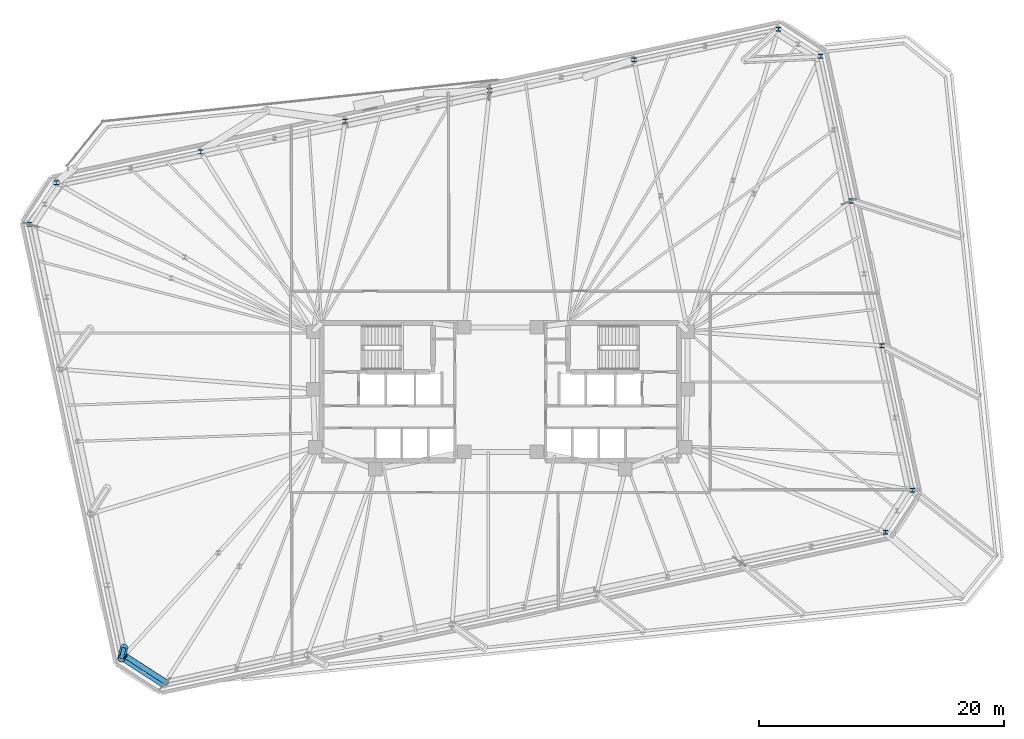
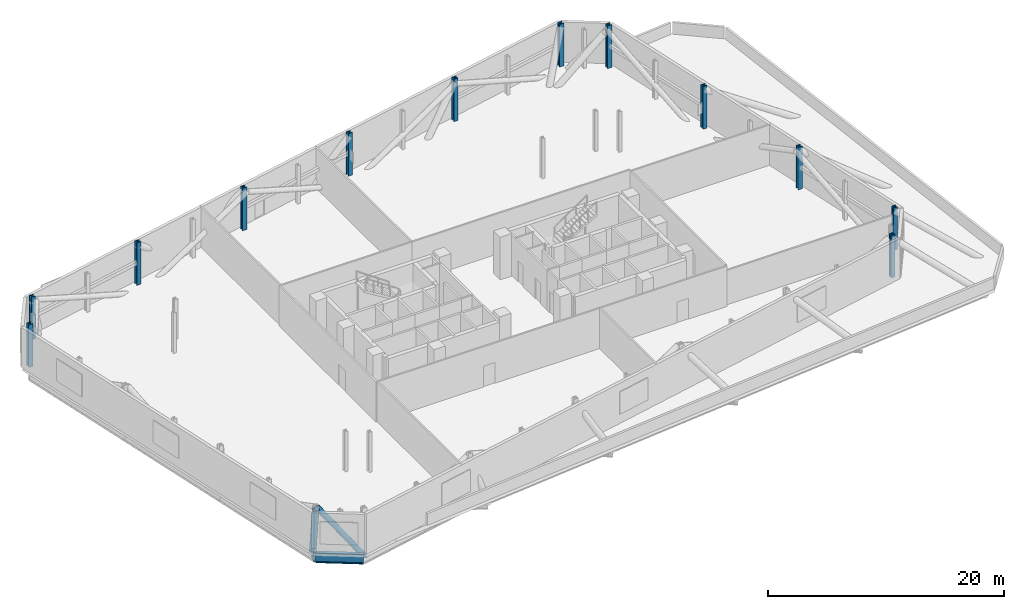
# One storey, part 5 of 19: 12 columns, 2 beams, 2 members.
"""IFC4 building model written with IfcOpenShell, lengths in metres."""

from ifc_helpers import new_model, si_unit, direction, frame, origin, origin_2d, place, context, subcontext, project, spatial, hollow_circle, i_section, extrude, material, material_profile, profile_set, type_object, element, save


model = new_model("IFC4")

# Units and contexts
model_context = context("Model", 3, precision=1e-05, world=origin(), true_north=direction((0.0, 1.0)))
body_context = subcontext(model_context, "Body", "Model", "MODEL_VIEW")
ifc_project = project(units=[si_unit("LENGTHUNIT", "METRE"), si_unit("AREAUNIT", "SQUARE_METRE"), si_unit("VOLUMEUNIT", "CUBIC_METRE"), si_unit("PLANEANGLEUNIT", "RADIAN"), si_unit("MASSUNIT", "GRAM", prefix="KILO")], contexts=[model_context])

# Site, building, storey
site_placement = place(None, origin())
site = spatial("IfcSite", under=ifc_project, at=site_placement, CompositionType="ELEMENT")
building_placement = place(site_placement, origin())
building = spatial("IfcBuilding", under=site, at=building_placement, Name="Menara Jurai Vektor", CompositionType="ELEMENT")
storey_placement = place(building_placement, frame((0.0, 0.0, 142.89990234375)))
storey = spatial("IfcBuildingStorey", under=building, at=storey_placement, Name="L36", CompositionType="ELEMENT", Elevation=142.89990234375)

# Columns
ifc_material = material(Name="Steel S460", Category="steel")
ifc_material_profile_1 = material_profile(ifc_material, i_section(OverallWidth=0.408935546875, OverallDepth=0.3740234375, WebThickness=0.048095703125, FlangeThickness=0.076904296875, FilletRadius=0.014892578125, at=origin_2d()), Name="HD 400x634")
ifc_profile_set_1 = profile_set([ifc_material_profile_1], Name="Steel S460")
column_type = type_object("IfcColumnType", Name="STR-EXO-BLK3", PredefinedType="COLUMN", material=ifc_profile_set_1)
for number, where, z_axis, x_axis, name in (
    (1, (31.376220703125, -11.438720703125, 0.0), (0.0, 0.0, 1.0), (1.0, 0.0, 0.0), "Exoskeleton Column BLK3-S6 L36"),
    (2, (33.588623046875, -8.031982421875, 0.0), (0.0, 0.0, 1.0), (1.0, 0.0, 0.0), "Exoskeleton Column BLK3-E1 L36"),
    (3, (31.082763671875, 3.75634765625, 0.0), (0.0, 0.0, 1.0), (1.0, 0.0, 0.0), "Exoskeleton Column BLK3-E2 L36"),
    (4, (28.5771484375, 15.544921875, 0.0), (0.0, 0.0, 1.0), (1.0, 0.0, 0.0), "Exoskeleton Column BLK3-E3 L36"),
    (5, (26.0712890625, 27.33349609375, 0.0), (0.0, 0.0, 1.0), (1.0, 0.0, 0.0), "Exoskeleton Column BLK3-E4 L36"),
    (6, (22.664794921875, 29.545654296875, 0.0), (0.0, 0.0, 1.0), (1.0, 0.0, 0.0), "Exoskeleton Column BLK3-N1 L36"),
    (7, (10.896484375, 27.044189453125, 0.0), (0.0, 0.0, 1.0), (1.0, 0.0, 0.0), "Exoskeleton Column BLK3-N2 L36"),
    (8, (-0.87158203125, 24.54296875, 0.0), (0.0, 0.0, 1.0), (1.0, 0.0, 0.0), "Exoskeleton Column BLK3-N3 L36"),
    (9, (-12.639892578125, 22.04150390625, 0.0), (0.0, 0.0, 1.0), (1.0, 0.0, 0.0), "Exoskeleton Column BLK3-N4 L36"),
    (10, (-24.407958984375, 19.5400390625, 0.0), (0.0, 0.0, 1.0), (1.0, 0.0, 0.0), "Exoskeleton Column BLK3-N5 L36"),
    (11, (-36.17626953125, 17.03857421875, 0.0), (0.0, 0.0, 1.0), (1.0, 0.0, 0.0), "Exoskeleton Column BLK3-N6 L36"),
    (12, (-38.388671875, 13.632080078125, 0.0), (0.0, 0.0, 1.0), (1.0, 0.0, 0.0), "Exoskeleton Column BLK3-W1 L36"),
):
    element("IfcColumn", number, at=place(storey_placement, frame(where, z_axis=z_axis, x_axis=x_axis)), inside=storey, type_object=column_type, Name=name, PredefinedType="COLUMN", context=body_context, shape_type="SweptSolid", body=[
        extrude(i_section(OverallWidth=0.408935546875, OverallDepth=0.3740234375, WebThickness=0.048095703125, FlangeThickness=0.076904296875, FilletRadius=0.014892578125, at=origin_2d()), origin(), (0.0, 0.0, 1.0), 4.400146484375),
    ])

# Beams
ifc_material_profile_2 = material_profile(ifc_material, i_section(OverallWidth=0.30908203125, OverallDepth=1.035888671875, WebThickness=0.030029296875, FlangeThickness=0.053955078125, FilletRadius=0.030029296875, at=origin_2d()), Name="UKB 1016x305x487")
ifc_profile_set_2 = profile_set([ifc_material_profile_2], Name="Steel S460")
beam_type = type_object("IfcBeamType", Name="STR-BM-TR1016", PredefinedType="BEAM", material=ifc_profile_set_2)
beam_1_placement = place(storey_placement, frame((-30.871337890625, -21.7333984375, -0.9228515625), z_axis=(0.838648168484, -0.544673525608, 0.0), x_axis=(0.544673525608, 0.838648168484, 0.0)))
element("IfcBeam", 13, at=beam_1_placement, inside=storey, type_object=beam_type, Name="Belt Truss Bottom Chord L36-20", PredefinedType="BEAM", context=body_context, shape_type="SweptSolid", body=[
    extrude(i_section(OverallWidth=0.30908203125, OverallDepth=1.035888671875, WebThickness=0.030029296875, FlangeThickness=0.053955078125, FilletRadius=0.030029296875, at=origin_2d()), origin(), (0.0, 0.0, 1.0), 4.061767578125),
])
beam_2_placement = place(storey_placement, frame((-30.65283203125, -20.85205078125, -0.9228515625), z_axis=(-0.240637265962, -0.970615117454, 0.0), x_axis=(0.970615117454, -0.240637265962, 0.0)))
element("IfcBeam", 14, at=beam_2_placement, inside=storey, type_object=beam_type, Name="Cantilever Transfer Girder L36-W4", PredefinedType="BEAM", context=body_context, shape_type="SweptSolid", body=[
    extrude(i_section(OverallWidth=0.30908203125, OverallDepth=1.035888671875, WebThickness=0.030029296875, FlangeThickness=0.053955078125, FilletRadius=0.030029296875, at=origin_2d()), origin(), (0.0, 0.0, 1.0), 0.907958984375),
])

# Members
ifc_material_profile_3 = material_profile(ifc_material, hollow_circle(Radius=0.25390625, WallThickness=0.02001953125, at=origin_2d()), Name="CHS 508x20")
ifc_profile_set_3 = profile_set([ifc_material_profile_3], Name="Steel S460")
member_type_1 = type_object("IfcMemberType", Name="STR-BR-508", PredefinedType="BRACE", material=ifc_profile_set_3)
member_1_placement = place(storey_placement, frame((-27.232421875, -23.697509765625, -0.9228515625), z_axis=(-0.532183182641, 0.344055466958, 0.773567641367), x_axis=(-0.542919373932, -0.83978482566, 0.0)))
element("IfcMember", 15, at=member_1_placement, inside=storey, type_object=member_type_1, Name="Belt Truss Web Diagonal L36-20", PredefinedType="BRACE", context=body_context, shape_type="SweptSolid", body=[
    extrude(hollow_circle(Radius=0.25390625, WallThickness=0.02001953125, at=origin_2d()), origin(), (0.0, 0.0, 1.0), 6.353759765625),
])
ifc_material_profile_4 = material_profile(ifc_material, hollow_circle(Radius=0.304931640625, WallThickness=0.02490234375, at=origin_2d()), Name="CHS 610x25")
ifc_profile_set_4 = profile_set([ifc_material_profile_4], Name="Steel S460")
member_type_2 = type_object("IfcMemberType", Name="STR-ST-610", PredefinedType="STRUT", material=ifc_profile_set_4)
member_2_placement = place(storey_placement, frame((-30.65283203125, -20.85205078125, -0.9228515625), z_axis=(-0.04371680125, -0.176332572641, 0.983359377397), x_axis=(0.970615117454, -0.240637265962, 0.0)))
element("IfcMember", 16, at=member_2_placement, inside=storey, type_object=member_type_2, Name="Transfer Outrigger Strut L36-W4", PredefinedType="STRUT", context=body_context, shape_type="SweptSolid", body=[
    extrude(hollow_circle(Radius=0.304931640625, WallThickness=0.02490234375, at=origin_2d()), origin(), (0.0, 0.0, 1.0), 4.998291015625),
])

save(model, "model.ifc")
